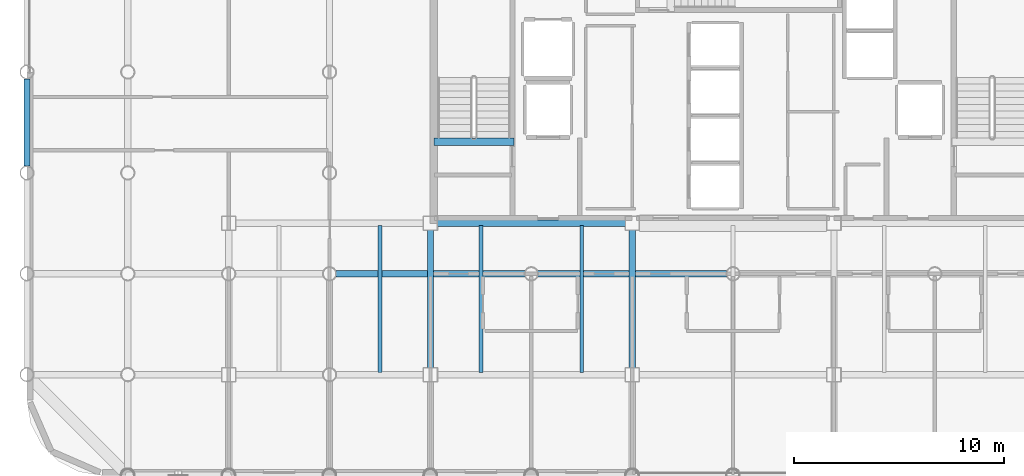
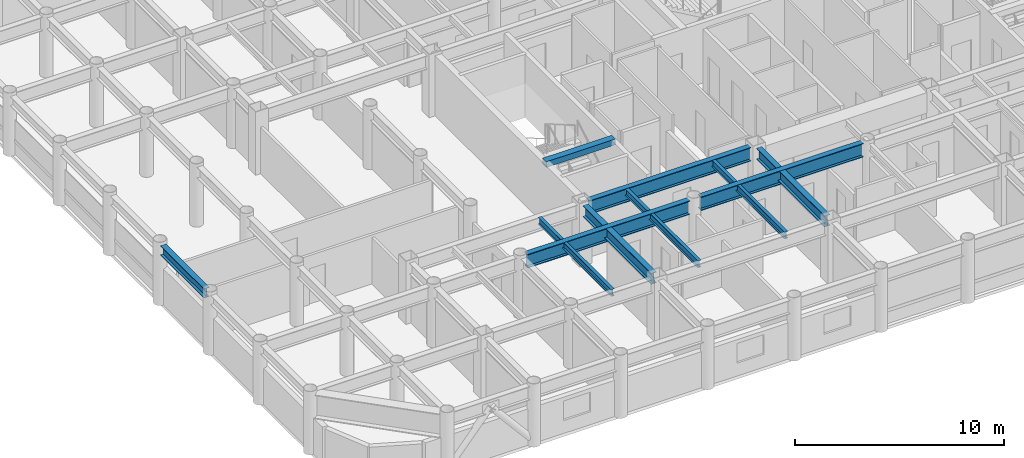
# One storey, part 3 of 20: 10 beams.
"""IFC4 building model written with IfcOpenShell, lengths in metres."""

from ifc_helpers import new_model, si_unit, direction, frame, origin, origin_2d, place, context, subcontext, project, spatial, rectangle, i_section, extrude, material, material_profile, profile_set, type_object, element, save


model = new_model("IFC4")

# Units and contexts
model_context = context("Model", 3, precision=1e-05, world=origin(), true_north=direction((0.0, 1.0)))
body_context = subcontext(model_context, "Body", "Model", "MODEL_VIEW")
ifc_project = project(units=[si_unit("LENGTHUNIT", "METRE"), si_unit("AREAUNIT", "SQUARE_METRE"), si_unit("VOLUMEUNIT", "CUBIC_METRE"), si_unit("PLANEANGLEUNIT", "RADIAN"), si_unit("MASSUNIT", "GRAM", prefix="KILO")], contexts=[model_context])

# Site, building, storey
site_placement = place(None, origin())
site = spatial("IfcSite", under=ifc_project, at=site_placement, CompositionType="ELEMENT")
building_placement = place(site_placement, origin())
building = spatial("IfcBuilding", under=site, at=building_placement, Name="Kallvorn Hotel Tower", CompositionType="ELEMENT")
storey_placement = place(building_placement, frame((0.0, 0.0, 132.199951171875)))
storey = spatial("IfcBuildingStorey", under=building, at=storey_placement, Name="L32", CompositionType="ELEMENT", Elevation=132.199951171875)

# Beams
ifc_material_1 = material(Name="Structural steel S355JR", Category="steel")
ifc_material_profile_1 = material_profile(ifc_material_1, i_section(OverallWidth=0.300048828125, OverallDepth=0.550048828125, WebThickness=0.014892578125, FlangeThickness=0.029052734375, at=origin_2d()), Name="HE 550 B")
ifc_profile_set_1 = profile_set([ifc_material_profile_1], Name="Structural steel S355JR")
beam_type_1 = type_object("IfcBeamType", Name="BM_HE550B", PredefinedType="SPANDREL", material=ifc_profile_set_1)
beam_1_placement = place(storey_placement, frame((-33.60009765625, -4.47998046875, 3.2451171875), z_axis=(0.0, 1.0, 0.0), x_axis=(-1.0, 0.0, 0.0)))
element("IfcBeam", 1, at=beam_1_placement, inside=storey, type_object=beam_type_1, Name="L33 Perimeter Spandrel 176", PredefinedType="SPANDREL", context=body_context, shape_type="SweptSolid", body=[
    extrude(i_section(OverallWidth=0.300048828125, OverallDepth=0.550048828125, WebThickness=0.014892578125, FlangeThickness=0.029052734375, at=origin_2d()), origin(), (0.0, 0.0, 1.0), 4.159912109375),
])
ifc_material_2 = material(Name="Structural steel S355JR", Category="steel")
ifc_material_profile_2 = material_profile(ifc_material_2, i_section(OverallWidth=0.300048828125, OverallDepth=0.64990234375, WebThickness=0.01611328125, FlangeThickness=0.031005859375, at=origin_2d()), Name="HE 650 B")
ifc_profile_set_2 = profile_set([ifc_material_profile_2], Name="Structural steel S355JR")
beam_type_2 = type_object("IfcBeamType", Name="BM_HE650B", PredefinedType="BEAM", material=ifc_profile_set_2)
for number, where, z_axis, x_axis, name in (
    (2, (-14.39990234375, -14.074951171875, 3.195068359375), (0.0, 1.0, 0.0), (-1.0, 0.0, 0.0), "L33 Primary Y-Girder 99"),
    (3, (-4.800048828125, -14.074951171875, 3.195068359375), (0.0, 1.0, 0.0), (-1.0, 0.0, 0.0), "L33 Primary Y-Girder 107"),
):
    element("IfcBeam", number, at=place(storey_placement, frame(where, z_axis=z_axis, x_axis=x_axis)), inside=storey, type_object=beam_type_2, Name=name, PredefinedType="BEAM", context=body_context, shape_type="SweptSolid", body=[
        extrude(i_section(OverallWidth=0.300048828125, OverallDepth=0.64990234375, WebThickness=0.01611328125, FlangeThickness=0.031005859375, at=origin_2d()), origin(), (0.0, 0.0, 1.0), 6.550048828125),
    ])
ifc_material_3 = material(Name="Structural steel S355JR", Category="steel")
ifc_material_profile_3 = material_profile(ifc_material_3, i_section(OverallWidth=0.300048828125, OverallDepth=0.800048828125, WebThickness=0.017578125, FlangeThickness=0.032958984375, at=origin_2d()), Name="HE 800 B")
ifc_profile_set_3 = profile_set([ifc_material_profile_3], Name="Structural steel S355JR")
beam_type_3 = type_object("IfcBeamType", Name="BM_HE800B", PredefinedType="BEAM", material=ifc_profile_set_3)
for number, where, z_axis, x_axis, name in (
    (4, (-18.89501953125, -9.60009765625, 3.1201171875), (1.0, 0.0, 0.0), (0.0, 1.0, 0.0), "L33 Primary X-Girder 26"),
    (5, (-9.294921875, -9.60009765625, 3.1201171875), (1.0, 0.0, 0.0), (0.0, 1.0, 0.0), "L33 Primary X-Girder 27"),
):
    element("IfcBeam", number, at=place(storey_placement, frame(where, z_axis=z_axis, x_axis=x_axis)), inside=storey, type_object=beam_type_3, Name=name, PredefinedType="BEAM", context=body_context, shape_type="SweptSolid", body=[
        extrude(i_section(OverallWidth=0.300048828125, OverallDepth=0.800048828125, WebThickness=0.017578125, FlangeThickness=0.032958984375, at=origin_2d()), origin(), (0.0, 0.0, 1.0), 8.989990234375),
    ])
beam_2_placement = place(storey_placement, frame((-14.074951171875, -7.199951171875, 3.1201171875), z_axis=(1.0, 0.0, 0.0), x_axis=(0.0, 1.0, 0.0)))
element("IfcBeam", 6, at=beam_2_placement, inside=storey, type_object=beam_type_3, Name="L33 Primary X-Girder 33", PredefinedType="BEAM", context=body_context, shape_type="SweptSolid", body=[
    extrude(i_section(OverallWidth=0.300048828125, OverallDepth=0.800048828125, WebThickness=0.017578125, FlangeThickness=0.032958984375, at=origin_2d()), origin(), (0.0, 0.0, 1.0), 8.949951171875),
])
ifc_material_4 = material(Name="Structural steel S355JR", Category="steel")
ifc_material_profile_4 = material_profile(ifc_material_4, i_section(OverallWidth=0.179931640625, OverallDepth=0.39990234375, WebThickness=0.008544921875, FlangeThickness=0.013427734375, at=origin_2d()), Name="IPE 400")
ifc_profile_set_4 = profile_set([ifc_material_profile_4], Name="Structural steel S355JR")
beam_type_4 = type_object("IfcBeamType", Name="BM_IPE400", PredefinedType="JOIST", material=ifc_profile_set_4)
for number, where, z_axis, x_axis, name in (
    (7, (-16.800048828125, -14.300048828125, 3.320068359375), (0.0, 1.0, 0.0), (-1.0, 0.0, 0.0), "L33 Secondary Composite Joist 194"),
    (8, (-12.0, -14.300048828125, 3.320068359375), (0.0, 1.0, 0.0), (-1.0, 0.0, 0.0), "L33 Secondary Composite Joist 196"),
    (9, (-7.199951171875, -14.300048828125, 3.320068359375), (0.0, 1.0, 0.0), (-1.0, 0.0, 0.0), "L33 Secondary Composite Joist 198"),
):
    element("IfcBeam", number, at=place(storey_placement, frame(where, z_axis=z_axis, x_axis=x_axis)), inside=storey, type_object=beam_type_4, Name=name, PredefinedType="JOIST", context=body_context, shape_type="SweptSolid", body=[
        extrude(i_section(OverallWidth=0.179931640625, OverallDepth=0.39990234375, WebThickness=0.008544921875, FlangeThickness=0.013427734375, at=origin_2d()), origin(), (0.0, 0.0, 1.0), 7.0),
    ])
ifc_material_5 = material(Name="Concrete C50/60", Category="concrete")
ifc_material_profile_5 = material_profile(ifc_material_5, rectangle(XDim=0.360107421875, YDim=0.340087890625, at=origin_2d()), Name="RC 360x340")
ifc_profile_set_5 = profile_set([ifc_material_profile_5], Name="Concrete C50/60")
beam_type_5 = type_object("IfcBeamType", Name="BM_RC_400x360", PredefinedType="BEAM", material=ifc_profile_set_5)
beam_3_placement = place(storey_placement, frame((-10.419921875, -3.31005859375, 3.35009765625), z_axis=(-1.0, 0.0, 0.0), x_axis=(0.0, -1.0, 0.0)))
element("IfcBeam", 10, at=beam_3_placement, inside=storey, type_object=beam_type_5, Name="L33 Stair ST1 Arrival Trimmer Beam", PredefinedType="BEAM", context=body_context, shape_type="SweptSolid", body=[
    extrude(rectangle(XDim=0.360107421875, YDim=0.340087890625, at=origin_2d()), origin(), (0.0, 0.0, 1.0), 3.820068359375),
])

save(model, "model.ifc")
